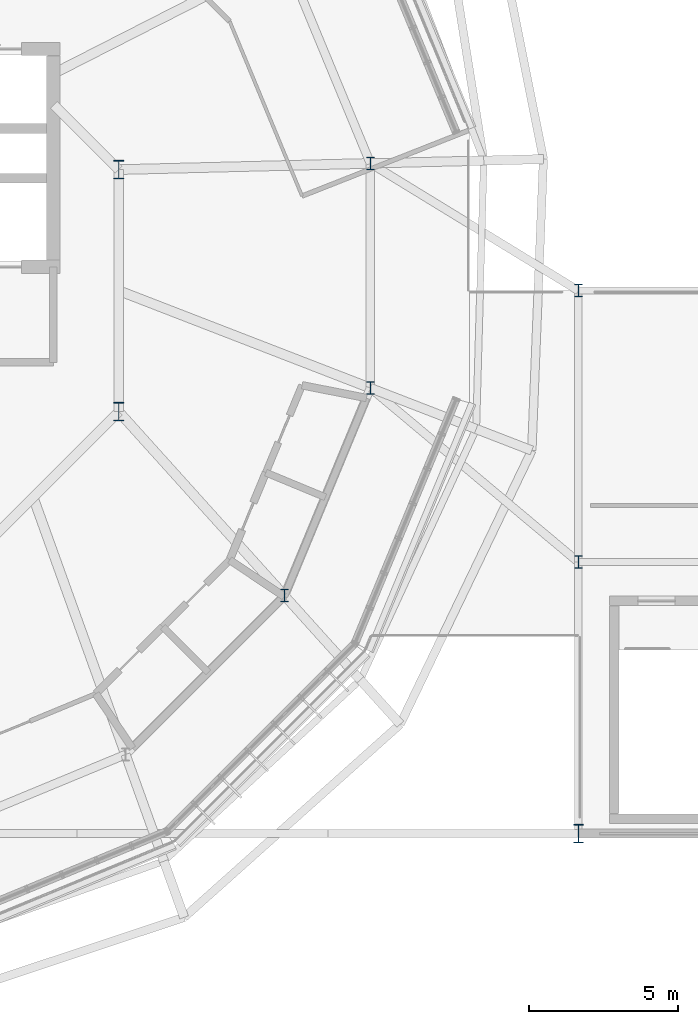
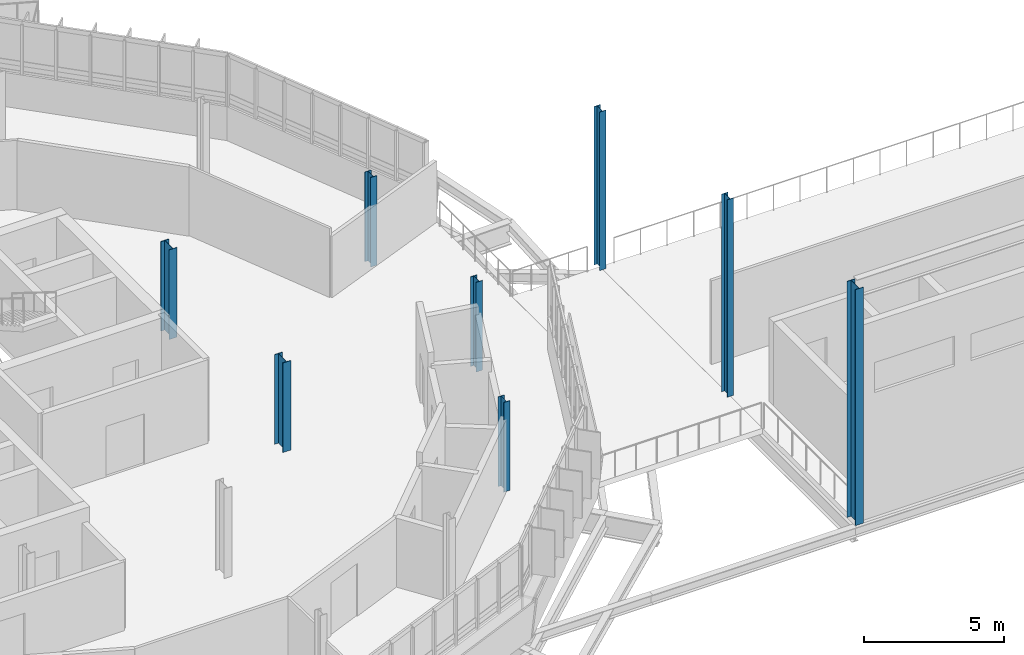
# One storey, part 2 of 61: 8 columns.
"""IFC4 building model written with IfcOpenShell, lengths in metres."""

from ifc_helpers import new_model, si_unit, derived_unit, direction, frame, origin, origin_2d, place, context, subcontext, project, spatial, i_section, extrude, material, material_profile, profile_set, type_object, element, save


model = new_model("IFC4")

# Units and contexts
model_context = context("Model", 3, precision=1e-05, world=origin(), true_north=direction((0.0, 1.0)))
body_context = subcontext(model_context, "Body", "Model", "MODEL_VIEW")
ifc_project = project(units=[si_unit("LENGTHUNIT", "METRE"), si_unit("AREAUNIT", "SQUARE_METRE"), si_unit("VOLUMEUNIT", "CUBIC_METRE"), si_unit("PLANEANGLEUNIT", "RADIAN"), si_unit("MASSUNIT", "GRAM", prefix="KILO"), derived_unit("THERMALTRANSMITTANCEUNIT", [(si_unit("MASSUNIT", "GRAM", prefix="KILO"), 1), (si_unit("TIMEUNIT", "SECOND"), -3), (si_unit("THERMODYNAMICTEMPERATUREUNIT", "KELVIN"), -1)])], contexts=[model_context])

# Site, building, storey
site_placement = place(None, origin())
site = spatial("IfcSite", under=ifc_project, at=site_placement, CompositionType="ELEMENT")
building_placement = place(site_placement, origin())
building = spatial("IfcBuilding", under=site, at=building_placement, Name="Makaiwela Harbour Ferry Terminal", CompositionType="ELEMENT")
storey_placement = place(building_placement, frame((0.0, 0.0, 13.800048828125)))
storey = spatial("IfcBuildingStorey", under=building, at=storey_placement, Name="L03", CompositionType="ELEMENT", Elevation=13.800048828125)

# Columns
ifc_material = material(Name="Steel ASTM A992 Grade 50", Category="steel")
ifc_material_profile_1 = material_profile(ifc_material, i_section(OverallWidth=0.260986328125, OverallDepth=0.4189453125, WebThickness=0.01171875, FlangeThickness=0.019287109375, at=origin_2d()), Name="W16X77")
ifc_profile_set_1 = profile_set([ifc_material_profile_1], Name="Steel ASTM A992 Grade 50")
column_type_1 = type_object("IfcColumnType", Name="STR-COL-W16X77", PredefinedType="COLUMN", material=ifc_profile_set_1)
for number, where, z_axis, x_axis, name in (
    (1, (56.029296875, 71.865234375, 0.0), (0.0, 0.0, 1.0), (1.0, 0.0, 0.0), "Structural Column C-04"),
    (2, (53.1474609375, 57.37744140625, 0.0), (0.0, 0.0, 1.0), (1.0, 0.0, 0.0), "Structural Column C-04"),
    (3, (56.029296875, 64.334716796875, 0.0), (0.0, 0.0, 1.0), (1.0, 0.0, 0.0), "Structural Column C-04"),
):
    element("IfcColumn", number, at=place(storey_placement, frame(where, z_axis=z_axis, x_axis=x_axis)), inside=storey, type_object=column_type_1, Name=name, PredefinedType="COLUMN", context=body_context, shape_type="SweptSolid", body=[
        extrude(i_section(OverallWidth=0.260986328125, OverallDepth=0.4189453125, WebThickness=0.01171875, FlangeThickness=0.019287109375, at=origin_2d()), origin(), (0.0, 0.0, 1.0), 3.89990234375),
    ])
column_1_placement = place(storey_placement, frame((63.0, 58.5, 0.0), z_axis=(0.0, 0.0, 1.0), x_axis=(1.0, 0.0, 0.0)))
element("IfcColumn", 4, at=column_1_placement, inside=storey, type_object=column_type_1, Name="Structural Column C-04", PredefinedType="COLUMN", context=body_context, shape_type="SweptSolid", body=[
    extrude(i_section(OverallWidth=0.260986328125, OverallDepth=0.4189453125, WebThickness=0.01171875, FlangeThickness=0.019287109375, at=origin_2d()), origin(), (0.0, 0.0, 1.0), 8.593017578125),
])
column_2_placement = place(storey_placement, frame((63.0, 67.60009765625, 0.0), z_axis=(0.0, 0.0, 1.0), x_axis=(1.0, 0.0, 0.0)))
element("IfcColumn", 5, at=column_2_placement, inside=storey, type_object=column_type_1, Name="Structural Column C-04", PredefinedType="COLUMN", context=body_context, shape_type="SweptSolid", body=[
    extrude(i_section(OverallWidth=0.260986328125, OverallDepth=0.4189453125, WebThickness=0.01171875, FlangeThickness=0.019287109375, at=origin_2d()), origin(), (0.0, 0.0, 1.0), 6.89306640625),
])
ifc_material_profile_2 = material_profile(ifc_material, i_section(OverallWidth=0.324951171875, OverallDepth=0.615966796875, WebThickness=0.013916015625, FlangeThickness=0.021484375, at=origin_2d()), Name="W24X117")
ifc_profile_set_2 = profile_set([ifc_material_profile_2], Name="Steel ASTM A992 Grade 50")
column_type_2 = type_object("IfcColumnType", Name="STR-COL-W24X117", PredefinedType="COLUMN", material=ifc_profile_set_2)
for number, where, z_axis, x_axis, name in (
    (6, (47.593017578125, 71.656494140625, 0.0), (0.0, 0.0, 1.0), (1.0, 0.0, 0.0), "Structural Column C-02"),
    (7, (47.593017578125, 63.543701171875, 0.0), (0.0, 0.0, 1.0), (1.0, 0.0, 0.0), "Structural Column C-02"),
):
    element("IfcColumn", number, at=place(storey_placement, frame(where, z_axis=z_axis, x_axis=x_axis)), inside=storey, type_object=column_type_2, Name=name, PredefinedType="COLUMN", context=body_context, shape_type="SweptSolid", body=[
        extrude(i_section(OverallWidth=0.324951171875, OverallDepth=0.615966796875, WebThickness=0.013916015625, FlangeThickness=0.021484375, at=origin_2d()), origin(), (0.0, 0.0, 1.0), 3.89990234375),
    ])
column_3_placement = place(storey_placement, frame((63.0, 49.39990234375, 0.0), z_axis=(0.0, 0.0, 1.0), x_axis=(1.0, 0.0, 0.0)))
element("IfcColumn", 8, at=column_3_placement, inside=storey, type_object=column_type_2, Name="Structural Column C-02", PredefinedType="COLUMN", context=body_context, shape_type="SweptSolid", body=[
    extrude(i_section(OverallWidth=0.324951171875, OverallDepth=0.615966796875, WebThickness=0.013916015625, FlangeThickness=0.021484375, at=origin_2d()), origin(), (0.0, 0.0, 1.0), 10.27294921875),
])

save(model, "model.ifc")
